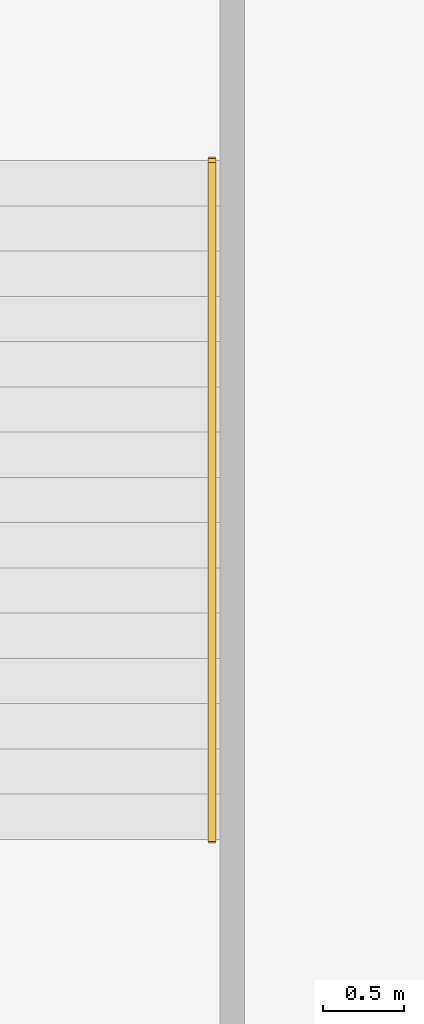
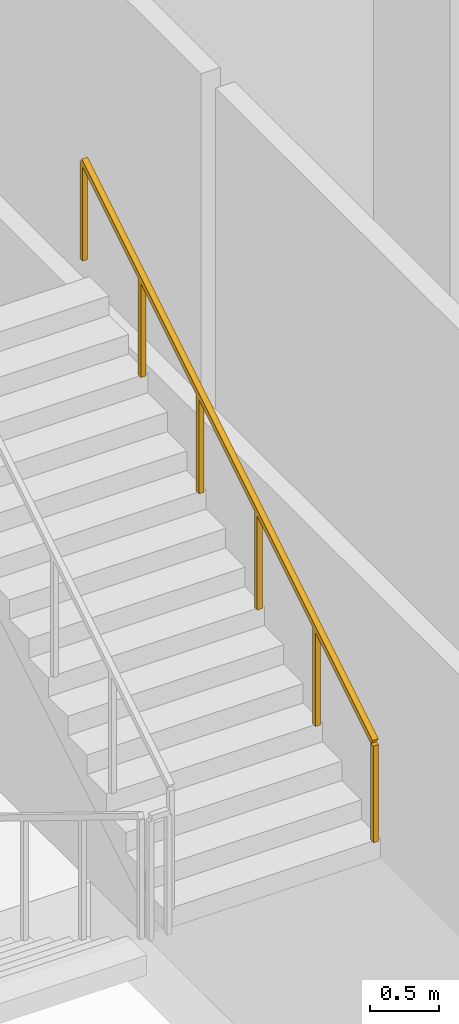
# One storey, part 26 of 26: 1 railing.
"""IFC4 building model written with IfcOpenShell, lengths in metres."""

from ifc_helpers import new_model, si_unit, direction, frame, origin, origin_2d, place, context, subcontext, project, spatial, rectangle, extrude, material, type_object, element, save


model = new_model("IFC4")

# Units and contexts
model_context = context("Model", 3, precision=1e-05, world=origin(), true_north=direction((0.0, 1.0)))
body_context = subcontext(model_context, "Body", "Model", "MODEL_VIEW")
ifc_project = project(units=[si_unit("LENGTHUNIT", "METRE"), si_unit("AREAUNIT", "SQUARE_METRE"), si_unit("VOLUMEUNIT", "CUBIC_METRE"), si_unit("PLANEANGLEUNIT", "RADIAN"), si_unit("MASSUNIT", "GRAM", prefix="KILO")], contexts=[model_context])

# Site, building, storey
site_placement = place(None, origin())
site = spatial("IfcSite", under=ifc_project, at=site_placement, CompositionType="ELEMENT")
building_placement = place(site_placement, origin())
building = spatial("IfcBuilding", under=site, at=building_placement, Name="Alderwake Tower", CompositionType="ELEMENT")
storey_placement = place(building_placement, frame((0.0, 0.0, 8.0)))
storey = spatial("IfcBuildingStorey", under=building, at=storey_placement, Name="L01", CompositionType="ELEMENT", Elevation=8.0)

# Railing
ifc_material = material(Name="Stainless steel handrail", Category="steel")
railing_type = type_object("IfcRailingType", Name="Stair handrail 900", PredefinedType="HANDRAIL", material=ifc_material)
railing_placement = place(storey_placement, frame((68.699951171875, 89.0, 2.921875)))
element("IfcRailing", 1, at=railing_placement, inside=storey, type_object=railing_type, Name="L01 ST-P3 stair handrail 2", PredefinedType="HANDRAIL", context=body_context, shape_type="SweptSolid", body=[
    extrude(rectangle(XDim=0.048095703125, YDim=0.048095703125, at=origin_2d()), frame((0.0, 0.0, 0.8759765625), z_axis=(0.0, 0.852242915053, 0.523146264196), x_axis=(-1.0, 0.0, 0.0)), (0.0, 0.0, 1.0), 4.92822265625),
    extrude(rectangle(XDim=0.0419921875, YDim=0.0419921875, at=origin_2d()), frame((0.0, 0.0, 0.0), z_axis=(0.0, 0.0, 1.0), x_axis=(0.0, 1.0, 0.0)), (0.0, 0.0, 1.0), 0.851806640625),
    extrude(rectangle(XDim=0.0419921875, YDim=0.0419921875, at=origin_2d()), frame((0.0, 0.840087890625, 0.515625), z_axis=(0.0, 0.0, 1.0), x_axis=(0.0, 1.0, 0.0)), (0.0, 0.0, 1.0), 0.851806640625),
    extrude(rectangle(XDim=0.0419921875, YDim=0.0419921875, at=origin_2d()), frame((0.0, 1.679931640625, 1.03125), z_axis=(0.0, 0.0, 1.0), x_axis=(0.0, 1.0, 0.0)), (0.0, 0.0, 1.0), 0.851806640625),
    extrude(rectangle(XDim=0.0419921875, YDim=0.0419921875, at=origin_2d()), frame((0.0, 2.52001953125, 1.546875), z_axis=(0.0, 0.0, 1.0), x_axis=(0.0, 1.0, 0.0)), (0.0, 0.0, 1.0), 0.851806640625),
    extrude(rectangle(XDim=0.0419921875, YDim=0.0419921875, at=origin_2d()), frame((0.0, 3.35986328125, 2.0625), z_axis=(0.0, 0.0, 1.0), x_axis=(0.0, 1.0, 0.0)), (0.0, 0.0, 1.0), 0.851806640625),
    extrude(rectangle(XDim=0.0419921875, YDim=0.0419921875, at=origin_2d()), frame((0.0, 4.199951171875, 2.578125), z_axis=(0.0, 0.0, 1.0), x_axis=(0.0, 1.0, 0.0)), (0.0, 0.0, 1.0), 0.851806640625),
])

save(model, "model.ifc")
